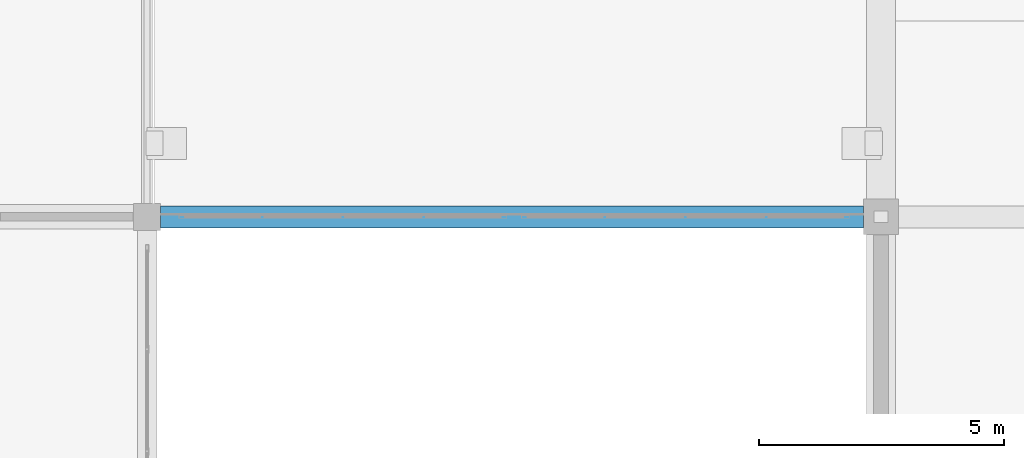
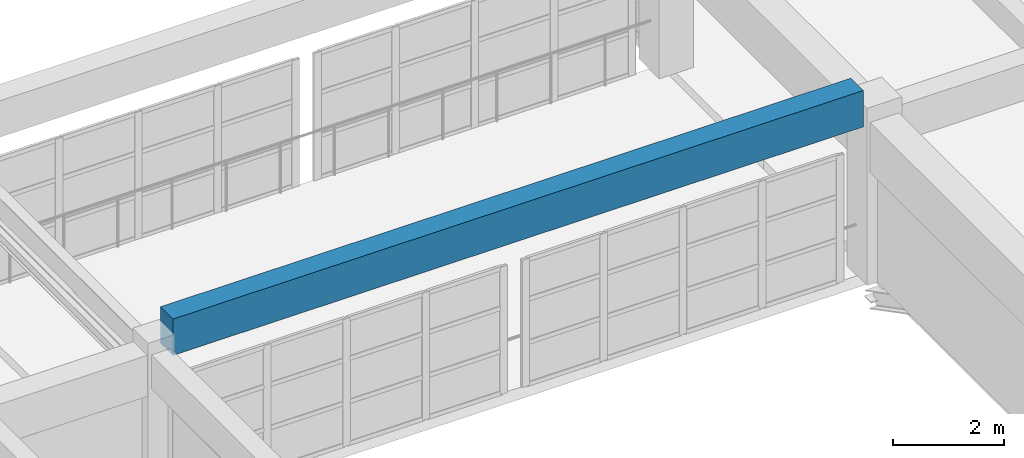
# One storey, part 13 of 101: 1 beam.
"""IFC4 building model written with IfcOpenShell, lengths in metres."""

from ifc_helpers import new_model, si_unit, direction, frame, origin, origin_2d, place, context, subcontext, project, spatial, rectangle, extrude, material, material_profile, profile_set, type_object, element, save


model = new_model("IFC4")

# Units and contexts
model_context = context("Model", 3, precision=1e-05, world=origin(), true_north=direction((0.0, 1.0)))
body_context = subcontext(model_context, "Body", "Model", "MODEL_VIEW")
ifc_project = project(units=[si_unit("LENGTHUNIT", "METRE"), si_unit("AREAUNIT", "SQUARE_METRE"), si_unit("VOLUMEUNIT", "CUBIC_METRE"), si_unit("PLANEANGLEUNIT", "RADIAN"), si_unit("MASSUNIT", "GRAM", prefix="KILO")], contexts=[model_context])

# Site, building, storey
site_placement = place(None, origin())
site = spatial("IfcSite", under=ifc_project, at=site_placement, CompositionType="ELEMENT")
building_placement = place(site_placement, origin())
building = spatial("IfcBuilding", under=site, at=building_placement, Name="Qasida Concert Hall", CompositionType="ELEMENT")
storey_placement = place(building_placement, frame((0.0, 0.0, 13.199951171875)))
storey = spatial("IfcBuildingStorey", under=building, at=storey_placement, Name="L03", CompositionType="ELEMENT", Elevation=13.199951171875)

# Beam
ifc_material = material(Name="Concrete C40/50", Category="concrete")
ifc_material_profile = material_profile(ifc_material, rectangle(XDim=0.449951171875, YDim=0.800048828125, at=origin_2d()), Name="RC 450x800")
ifc_profile_set = profile_set([ifc_material_profile], Name="Concrete C40/50")
beam_type = type_object("IfcBeamType", Name="BM-G2", PredefinedType="USERDEFINED", material=ifc_profile_set)
beam_placement = place(storey_placement, frame((37.77490234375, 30.0, 3.81005859375), z_axis=(1.0, 0.0, 0.0), x_axis=(0.0, 1.0, 0.0)))
element("IfcBeam", 1, at=beam_placement, inside=storey, type_object=beam_type, Name="Link bridge V3-V1 roof girder 01", ObjectType="GIRDER", PredefinedType="USERDEFINED", context=body_context, shape_type="SweptSolid", body=[
    extrude(rectangle(XDim=0.449951171875, YDim=0.800048828125, at=origin_2d()), origin(), (0.0, 0.0, 1.0), 14.364990234375),
])

save(model, "model.ifc")
